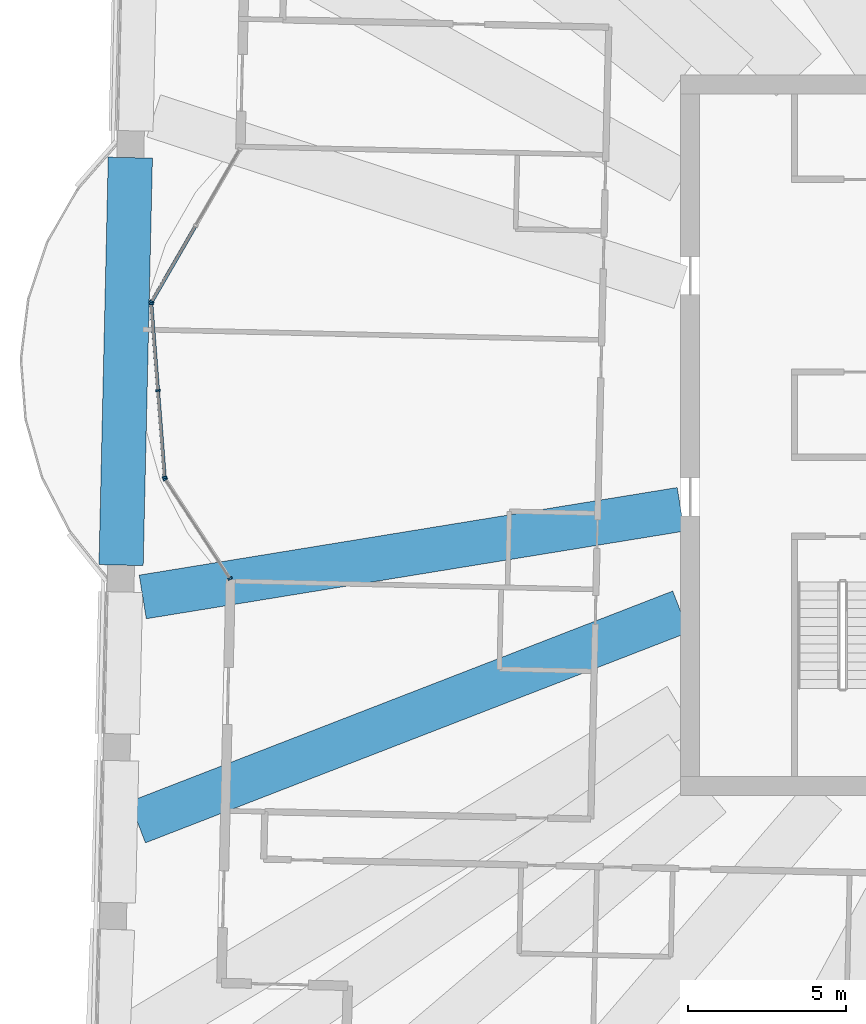
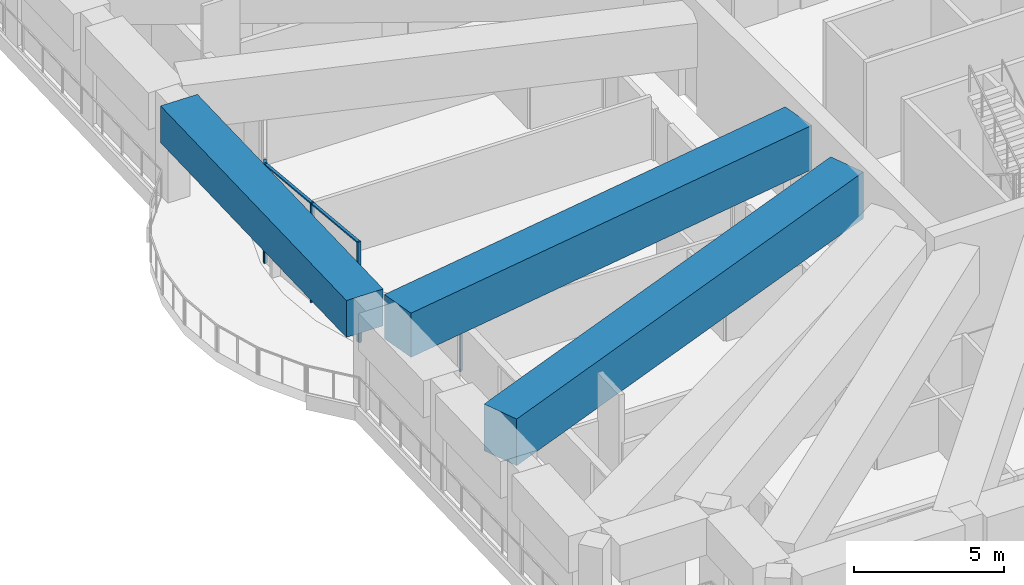
# One storey, part 2 of 21: 9 members, 3 beams, 3 elements without a shape of their own.
"""IFC4 building model written with IfcOpenShell, lengths in metres."""

from ifc_helpers import new_model, si_unit, direction, frame, origin, origin_2d, place, context, subcontext, project, spatial, rectangle, extrude, material, material_profile, profile_set, type_object, element, aggregate, save


model = new_model("IFC4")

# Units and contexts
model_context = context("Model", 3, precision=1e-05, world=origin(), true_north=direction((0.0, 1.0)))
body_context = subcontext(model_context, "Body", "Model", "MODEL_VIEW")
ifc_project = project(units=[si_unit("LENGTHUNIT", "METRE"), si_unit("AREAUNIT", "SQUARE_METRE"), si_unit("VOLUMEUNIT", "CUBIC_METRE"), si_unit("PLANEANGLEUNIT", "RADIAN"), si_unit("MASSUNIT", "GRAM", prefix="KILO")], contexts=[model_context])

# Site, building, storey
site_placement = place(None, origin())
site = spatial("IfcSite", under=ifc_project, at=site_placement, CompositionType="ELEMENT")
building_placement = place(site_placement, origin())
building = spatial("IfcBuilding", under=site, at=building_placement, Name="Mangrove Gate Tower", CompositionType="ELEMENT")
storey_placement = place(building_placement, frame((0.0, 0.0, 329.699951171875)))
storey = spatial("IfcBuildingStorey", under=building, at=storey_placement, Name="L84", CompositionType="ELEMENT", Elevation=329.699951171875)

# Curtain wall, member
ifc_material_1 = material(Name="Aluminium and glass curtain wall", Category="aluminium")
curtain_wall_type = type_object("IfcCurtainWallType", Name="Crown garden glazing wall", PredefinedType="NOTDEFINED", material=ifc_material_1)
curtain_wall_1_placement = place(storey_placement, origin())
curtain_wall_1 = element("IfcCurtainWall", 1, at=curtain_wall_1_placement, inside=storey, type_object=curtain_wall_type, Name="Crown garden glazing W9f1", PredefinedType="NOTDEFINED")
ifc_material_2 = material(Name="Aluminium alloy 6063-T6", Category="aluminium")
ifc_material_profile_1 = material_profile(ifc_material_2, rectangle(XDim=0.06005859375, YDim=0.139892578125, at=origin_2d()))
ifc_profile_set_1 = profile_set([ifc_material_profile_1], Name="Aluminium alloy 6063-T6")
member_type_1 = type_object("IfcMemberType", Name="Crown garden glazing mullion 60x140", PredefinedType="MULLION", material=ifc_profile_set_1)
member_1_placement = place(storey_placement, frame((-31.146484375, 4.220703125, 0.0), z_axis=(0.0, 0.0, 1.0), x_axis=(-0.500418160284, -0.865783844189, 0.0)))
member_1 = element("IfcMember", 2, at=member_1_placement, type_object=member_type_1, Name="CWC mullion 3", PredefinedType="MULLION", context=body_context, shape_type="SweptSolid", body=[
    extrude(rectangle(XDim=0.06005859375, YDim=0.139892578125, at=origin_2d()), origin(), (0.0, 0.0, 1.0), 2.25),
])

# Curtain wall, members
curtain_wall_2_placement = place(storey_placement, origin())
curtain_wall_2 = element("IfcCurtainWall", 3, at=curtain_wall_2_placement, inside=storey, type_object=curtain_wall_type, Name="Crown garden glazing W9f2", PredefinedType="NOTDEFINED")
member_2_placement = place(storey_placement, frame((-31.1591796875, 4.164794921875, 0.0), z_axis=(0.0, 0.0, 1.0), x_axis=(0.077023348229, -0.997029289353, 0.0)))
member_2 = element("IfcMember", 4, at=member_2_placement, type_object=member_type_1, Name="CWC mullion 1", PredefinedType="MULLION", context=body_context, shape_type="SweptSolid", body=[
    extrude(rectangle(XDim=0.06005859375, YDim=0.139892578125, at=origin_2d()), origin(), (0.0, 0.0, 1.0), 4.050048828125),
])
member_3_placement = place(storey_placement, frame((-30.947021484375, 1.416259765625, 0.0), z_axis=(0.0, 0.0, 1.0), x_axis=(0.077023348229, -0.997029289353, 0.0)))
member_3 = element("IfcMember", 5, at=member_3_placement, type_object=member_type_1, Name="CWC mullion 2", PredefinedType="MULLION", context=body_context, shape_type="SweptSolid", body=[
    extrude(rectangle(XDim=0.06005859375, YDim=0.139892578125, at=origin_2d()), origin(), (0.0, 0.0, 1.0), 4.050048828125),
])
member_4_placement = place(storey_placement, frame((-30.734619140625, -1.332275390625, 0.0), z_axis=(0.0, 0.0, 1.0), x_axis=(0.077023348229, -0.997029289353, 0.0)))
member_4 = element("IfcMember", 6, at=member_4_placement, type_object=member_type_1, Name="CWC mullion 3", PredefinedType="MULLION", context=body_context, shape_type="SweptSolid", body=[
    extrude(rectangle(XDim=0.06005859375, YDim=0.139892578125, at=origin_2d()), origin(), (0.0, 0.0, 1.0), 4.050048828125),
])

curtain_wall_3_placement = place(storey_placement, origin())
curtain_wall_3 = element("IfcCurtainWall", 7, at=curtain_wall_3_placement, inside=storey, type_object=curtain_wall_type, Name="Crown garden glazing W9f3", PredefinedType="NOTDEFINED")
member_5_placement = place(storey_placement, frame((-30.7158203125, -1.387451171875, 0.0), z_axis=(0.0, 0.0, 1.0), x_axis=(0.546235085045, -0.837631919083, 0.0)))
member_5 = element("IfcMember", 8, at=member_5_placement, type_object=member_type_1, Name="CWC mullion 1", PredefinedType="MULLION", context=body_context, shape_type="SweptSolid", body=[
    extrude(rectangle(XDim=0.06005859375, YDim=0.139892578125, at=origin_2d()), origin(), (0.0, 0.0, 1.0), 2.25),
])
member_6_placement = place(storey_placement, frame((-28.664306640625, -4.533447265625, 0.0), z_axis=(0.0, 0.0, 1.0), x_axis=(0.546235085045, -0.837631919083, 0.0)))
member_6 = element("IfcMember", 9, at=member_6_placement, type_object=member_type_1, Name="CWC mullion 2", PredefinedType="MULLION", context=body_context, shape_type="SweptSolid", body=[
    extrude(rectangle(XDim=0.06005859375, YDim=0.139892578125, at=origin_2d()), origin(), (0.0, 0.0, 1.0), 2.25),
])
aggregate(curtain_wall_3, [member_5, member_6])

# Member
ifc_material_3 = material(Name="Aluminium alloy 6063-T6", Category="aluminium")
ifc_material_profile_2 = material_profile(ifc_material_3, rectangle(XDim=0.06005859375, YDim=0.110107421875, at=origin_2d()))
ifc_profile_set_2 = profile_set([ifc_material_profile_2], Name="Aluminium alloy 6063-T6")
member_type_2 = type_object("IfcMemberType", Name="Crown garden glazing transom 60x110", PredefinedType="USERDEFINED", material=ifc_profile_set_2)
member_7_placement = place(storey_placement, frame((-29.764892578125, 6.611083984375, 2.219970703125), z_axis=(-0.500426524989, -0.865779009382, 0.0), x_axis=(0.0, 0.0, 1.0)))
member_7 = element("IfcMember", 10, at=member_7_placement, type_object=member_type_2, Name="CWC transom 2.2", ObjectType="TRANSOM", PredefinedType="USERDEFINED", context=body_context, shape_type="SweptSolid", body=[
    extrude(rectangle(XDim=0.06005859375, YDim=0.110107421875, at=origin_2d()), origin(), (0.0, 0.0, 1.0), 2.73095703125),
])

aggregate(curtain_wall_1, [member_1, member_7])

member_8_placement = place(storey_placement, frame((-31.156982421875, 4.134765625, 4.02001953125), z_axis=(0.077042645639, -0.997027798385, 0.0), x_axis=(0.0, 0.0, 1.0)))
member_8 = element("IfcMember", 11, at=member_8_placement, type_object=member_type_2, Name="CWC transom 1.2", ObjectType="TRANSOM", PredefinedType="USERDEFINED", context=body_context, shape_type="SweptSolid", body=[
    extrude(rectangle(XDim=0.06005859375, YDim=0.110107421875, at=origin_2d()), origin(), (0.0, 0.0, 1.0), 2.69677734375),
])

member_9_placement = place(storey_placement, frame((-30.944580078125, 1.38623046875, 4.02001953125), z_axis=(0.077042645639, -0.997027798385, 0.0), x_axis=(0.0, 0.0, 1.0)))
member_9 = element("IfcMember", 12, at=member_9_placement, type_object=member_type_2, Name="CWC transom 2.2", ObjectType="TRANSOM", PredefinedType="USERDEFINED", context=body_context, shape_type="SweptSolid", body=[
    extrude(rectangle(XDim=0.06005859375, YDim=0.110107421875, at=origin_2d()), origin(), (0.0, 0.0, 1.0), 2.69677734375),
])

aggregate(curtain_wall_2, [member_2, member_3, member_4, member_8, member_9])

# Beams
ifc_material_4 = material(Name="Concrete C50/60", Category="concrete")
ifc_material_profile_3 = material_profile(ifc_material_4, rectangle(XDim=1.39990234375, YDim=1.5, at=origin_2d()))
ifc_profile_set_3 = profile_set([ifc_material_profile_3], Name="Concrete C50/60")
beam_type_1 = type_object("IfcBeamType", Name="Transfer girder RC 1400x1500 C50/60", PredefinedType="BEAM", material=ifc_profile_set_3)
beam_1_placement = place(storey_placement, frame((-31.82080078125, 8.787353515625, 3.300048828125), z_axis=(-0.022690883298, -0.999742528762, 0.0), x_axis=(0.999742528762, -0.022690883298, 0.0)))
element("IfcBeam", 13, at=beam_1_placement, inside=storey, type_object=beam_type_1, Name="Transfer ring girder L84 35", PredefinedType="BEAM", context=body_context, shape_type="SweptSolid", body=[
    extrude(rectangle(XDim=1.39990234375, YDim=1.5, at=origin_2d()), origin(), (0.0, 0.0, 1.0), 12.900634765625),
])
ifc_material_5 = material(Name="Concrete C50/60", Category="concrete")
ifc_material_profile_4 = material_profile(ifc_material_5, rectangle(XDim=1.39990234375, YDim=1.800048828125, at=origin_2d()))
ifc_profile_set_4 = profile_set([ifc_material_profile_4], Name="Concrete C50/60")
beam_type_2 = type_object("IfcBeamType", Name="Transfer girder RC 1400x1800 C50/60", PredefinedType="BEAM", material=ifc_profile_set_4)
beam_2_placement = place(storey_placement, frame((-14.39990234375, -2.344482421875, 3.150146484375), z_axis=(-0.987003511968, -0.160698685008, 0.0), x_axis=(0.160698685008, -0.987003511968, 0.0)))
element("IfcBeam", 14, at=beam_2_placement, inside=storey, type_object=beam_type_2, Name="Transfer girder L84 00", PredefinedType="BEAM", context=body_context, shape_type="SweptSolid", body=[
    extrude(rectangle(XDim=1.39990234375, YDim=1.800048828125, at=origin_2d()), origin(), (0.0, 0.0, 1.0), 17.25244140625),
])
ifc_material_6 = material(Name="Concrete C50/60", Category="concrete")
ifc_material_profile_5 = material_profile(ifc_material_6, rectangle(XDim=1.39990234375, YDim=1.89990234375, at=origin_2d()))
ifc_profile_set_5 = profile_set([ifc_material_profile_5], Name="Concrete C50/60")
beam_type_3 = type_object("IfcBeamType", Name="Transfer girder RC 1400x1900 C50/60", PredefinedType="BEAM", material=ifc_profile_set_5)
beam_3_placement = place(storey_placement, frame((-14.39990234375, -5.58203125, 3.10009765625), z_axis=(-0.932395909587, -0.361438608599, 0.0), x_axis=(0.361438608599, -0.932395909587, 0.0)))
element("IfcBeam", 15, at=beam_3_placement, inside=storey, type_object=beam_type_3, Name="Transfer girder L84 01", PredefinedType="BEAM", context=body_context, shape_type="SweptSolid", body=[
    extrude(rectangle(XDim=1.39990234375, YDim=1.89990234375, at=origin_2d()), origin(), (0.0, 0.0, 1.0), 18.4423828125),
])

save(model, "model.ifc")
